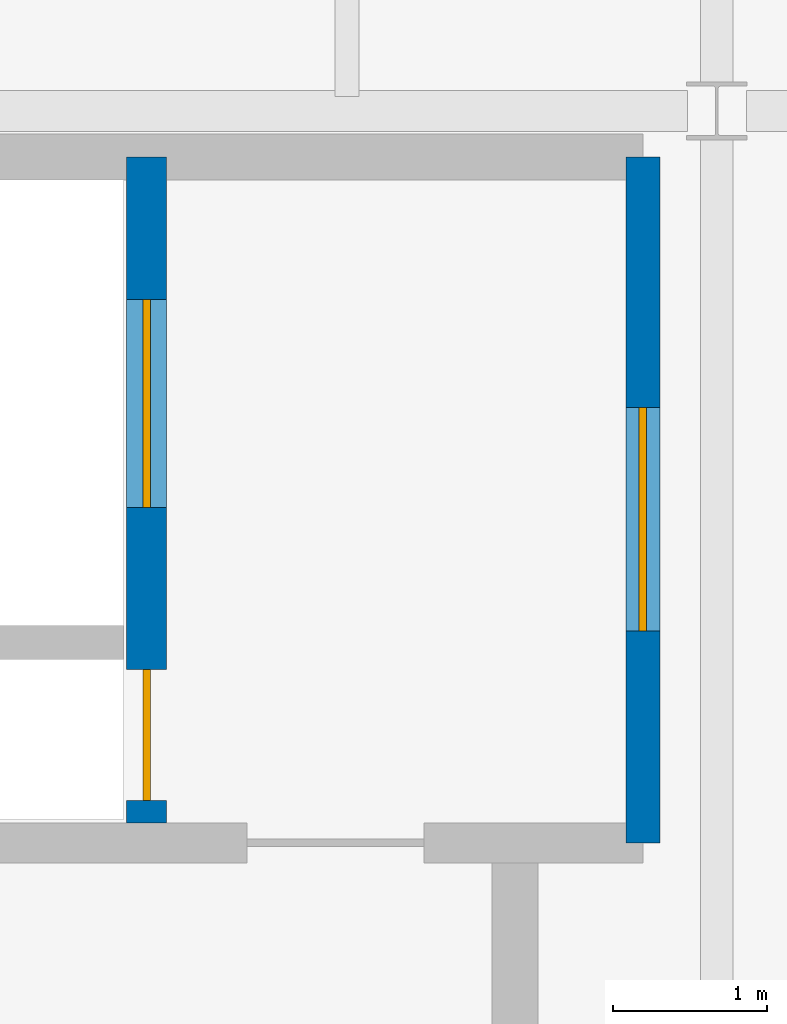
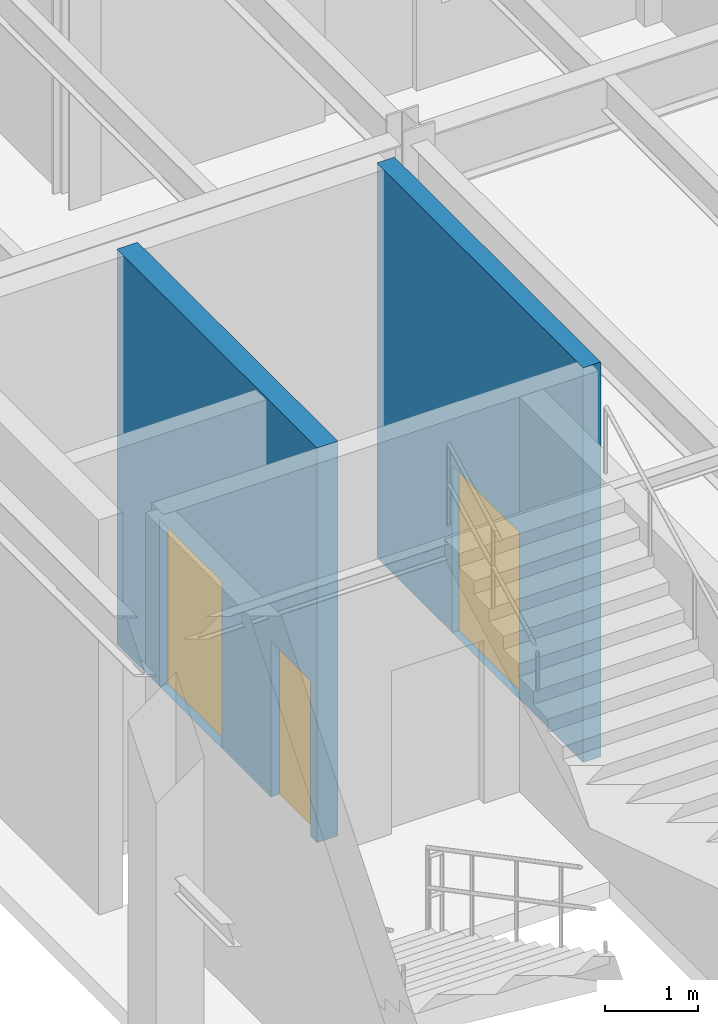
# One storey, part 38 of 97: 3 doors, 2 walls, 3 openings.
"""IFC4 building model written with IfcOpenShell, lengths in metres."""

from ifc_helpers import new_model, si_unit, direction, frame, frame_2d, origin, place, context, subcontext, project, spatial, rectangle, extrude, material, layer, layer_set, type_object, element, fill, save


model = new_model("IFC4")

# Units and contexts
model_context = context("Model", 3, precision=1e-05, world=origin(), true_north=direction((0.0, 1.0)))
body_context = subcontext(model_context, "Body", "Model", "MODEL_VIEW")
ifc_project = project(units=[si_unit("LENGTHUNIT", "METRE"), si_unit("AREAUNIT", "SQUARE_METRE"), si_unit("VOLUMEUNIT", "CUBIC_METRE"), si_unit("PLANEANGLEUNIT", "RADIAN"), si_unit("MASSUNIT", "GRAM", prefix="KILO")], contexts=[model_context])

# Site, building, storey
site_placement = place(None, origin())
site = spatial("IfcSite", under=ifc_project, at=site_placement, CompositionType="ELEMENT")
building_placement = place(site_placement, origin())
building = spatial("IfcBuilding", under=site, at=building_placement, Name="Sillqori Civic Hall", CompositionType="ELEMENT")
storey_placement = place(building_placement, origin())
storey = spatial("IfcBuildingStorey", under=building, at=storey_placement, Name="L01", CompositionType="ELEMENT", Elevation=0.0)

# Wall, opening, door
ifc_material_1 = material(Name="Concrete C35/45 (H35)", Category="concrete")
ifc_layer_1 = layer(ifc_material_1, 0.219970703125)
ifc_layer_set_1 = layer_set([ifc_layer_1], Name="Concrete C35/45 (H35)")
wall_type_1 = type_object("IfcWallType", Name="CW-SHR-220", PredefinedType="SHEAR", material=ifc_layer_set_1)
wall_1_placement = place(storey_placement, frame((129.1201171875, 64.5, 0.0), z_axis=(0.0, 0.0, 1.0), x_axis=(0.0, -1.0, 0.0)))
wall_1 = element("IfcWall", 1, at=wall_1_placement, inside=storey, type_object=wall_type_1, Name="L01 C2 firefighting lobby enclosure wall", PredefinedType="SHEAR", context=body_context, shape_type="SweptSolid", body=[
    extrude(rectangle(XDim=4.449951171875, YDim=0.219970703125, at=frame_2d((2.22509765625, 0.0))), origin(), (0.0, 0.0, 1.0), 5.199951171875),
])
opening_1_placement = place(wall_1_placement, frame((1.625, 0.0, 0.0)))
opening_1 = element("IfcOpeningElement", 2, at=opening_1_placement, cuts=wall_1, Name="Opening FD-03", PredefinedType="OPENING", context=body_context, shape_type="SweptSolid", body=[
    extrude(rectangle(XDim=1.449951171875, YDim=2.199951171875, at=frame_2d((0.72509765625, 1.10009765625))), frame((0.0, 0.119873046875, 0.0), z_axis=(0.0, -1.0, 0.0), x_axis=(1.0, 0.0, 0.0)), (0.0, 0.0, 1.0), 0.239990234375),
])
ifc_material_2 = material(Name="Double-Leaf Smoke-Seal Lobby Door", Category="steel")
door_type_1 = type_object("IfcDoorType", Name="FDR-LOB-145X220", OperationType="NOTDEFINED", PredefinedType="DOOR", material=ifc_material_2)
door_1_placement = place(opening_1_placement, origin())
door_1 = element("IfcDoor", 3, at=door_1_placement, inside=storey, type_object=door_type_1, Name="L01 C2 firefighting lobby exit door", OperationType="DOUBLE_DOOR_SINGLE_SWING", OverallHeight=2.199951171875, OverallWidth=1.449951171875, PredefinedType="DOOR", context=body_context, shape_type="SweptSolid", body=[
    extrude(rectangle(XDim=1.449951171875, YDim=2.199951171875, at=frame_2d((0.72509765625, 1.10009765625))), frame((0.0, 0.02490234375, 0.0), z_axis=(0.0, -1.0, 0.0), x_axis=(1.0, 0.0, 0.0)), (0.0, 0.0, 1.0), 0.050048828125),
])
fill(opening_1, door_1)

# Wall, openings, doors
ifc_layer_2 = layer(ifc_material_1, 0.260009765625)
ifc_layer_set_2 = layer_set([ifc_layer_2], Name="Concrete C35/45 (H35)")
wall_type_2 = type_object("IfcWallType", Name="CW-SHR-260", PredefinedType="SHEAR", material=ifc_layer_set_2)
wall_2_placement = place(storey_placement, frame((125.89990234375, 64.5, 0.0), z_axis=(0.0, 0.0, 1.0), x_axis=(0.0, -1.0, 0.0)))
wall_2 = element("IfcWall", 4, at=wall_2_placement, inside=storey, type_object=wall_type_2, Name="L01 C2 Lift landing & riser front wall", PredefinedType="SHEAR", context=body_context, shape_type="SweptSolid", body=[
    extrude(rectangle(XDim=4.320068359375, YDim=0.260009765625, at=frame_2d((2.16015625, 0.0))), origin(), (0.0, 0.0, 1.0), 5.199951171875),
])
opening_2_placement = place(wall_2_placement, frame((0.925048828125, 0.0, 0.0)))
opening_2 = element("IfcOpeningElement", 5, at=opening_2_placement, cuts=wall_2, Name="Opening LD-03", PredefinedType="OPENING", context=body_context, shape_type="SweptSolid", body=[
    extrude(rectangle(XDim=1.35009765625, YDim=2.199951171875, at=frame_2d((0.675048828125, 1.10009765625))), frame((0.0, 0.139892578125, 0.0), z_axis=(0.0, -1.0, 0.0), x_axis=(1.0, 0.0, 0.0)), (0.0, 0.0, 1.0), 0.280029296875),
])
opening_3_placement = place(wall_2_placement, frame((3.324951171875, 0.0, 0.0)))
opening_3 = element("IfcOpeningElement", 6, at=opening_3_placement, cuts=wall_2, Name="Opening FD-05", PredefinedType="OPENING", context=body_context, shape_type="SweptSolid", body=[
    extrude(rectangle(XDim=0.85009765625, YDim=2.050048828125, at=frame_2d((0.425048828125, 1.02490234375))), frame((0.0, 0.139892578125, 0.0), z_axis=(0.0, -1.0, 0.0), x_axis=(1.0, 0.0, 0.0)), (0.0, 0.0, 1.0), 0.280029296875),
])
ifc_material_3 = material(Name="Steel Riser Access Fire Door", Category="steel")
door_type_2 = type_object("IfcDoorType", Name="FDR-RSR-085X205", OperationType="NOTDEFINED", PredefinedType="DOOR", material=ifc_material_3)
door_2_placement = place(opening_3_placement, origin())
door_2 = element("IfcDoor", 7, at=door_2_placement, inside=storey, type_object=door_type_2, Name="L01 MEP riser C2 fire access door", OperationType="SINGLE_SWING_LEFT", OverallHeight=2.050048828125, OverallWidth=0.85009765625, PredefinedType="DOOR", context=body_context, shape_type="SweptSolid", body=[
    extrude(rectangle(XDim=0.85009765625, YDim=2.050048828125, at=frame_2d((0.425048828125, 1.02490234375))), frame((0.0, 0.02490234375, 0.0), z_axis=(0.0, -1.0, 0.0), x_axis=(1.0, 0.0, 0.0)), (0.0, 0.0, 1.0), 0.050048828125),
])
fill(opening_3, door_2)
ifc_material_4 = material(Name="Service Freight Lift Landing Door", Category="steel")
door_type_3 = type_object("IfcDoorType", Name="LDR-SERV-135X220", OperationType="NOTDEFINED", PredefinedType="DOOR", material=ifc_material_4)
door_3_placement = place(opening_2_placement, origin())
door_3 = element("IfcDoor", 8, at=door_3_placement, inside=storey, type_object=door_type_3, Name="L01 lift LF-08 sliding landing door", OperationType="DOUBLE_DOOR_SLIDING", OverallHeight=2.199951171875, OverallWidth=1.35009765625, PredefinedType="DOOR", context=body_context, shape_type="SweptSolid", body=[
    extrude(rectangle(XDim=1.35009765625, YDim=2.199951171875, at=frame_2d((0.675048828125, 1.10009765625))), frame((0.0, 0.02490234375, 0.0), z_axis=(0.0, -1.0, 0.0), x_axis=(1.0, 0.0, 0.0)), (0.0, 0.0, 1.0), 0.050048828125),
])
fill(opening_2, door_3)

save(model, "model.ifc")
